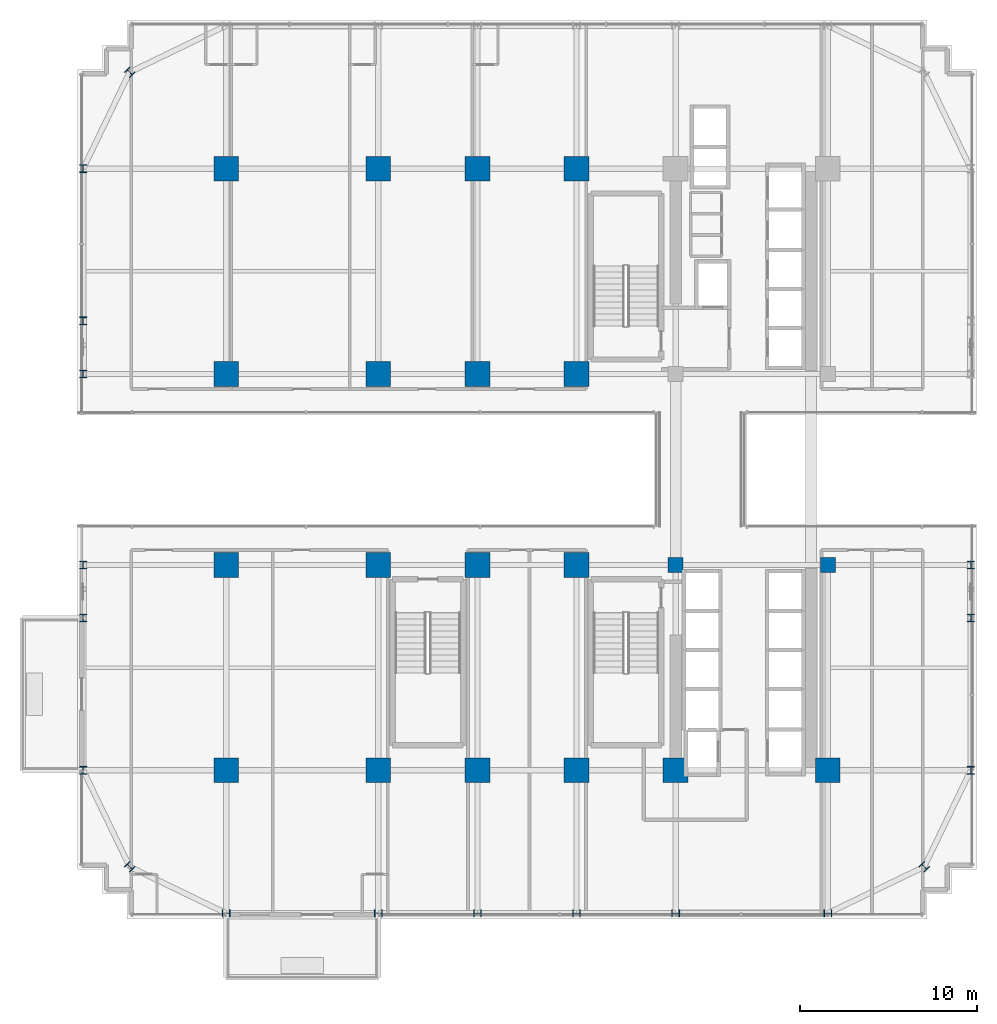
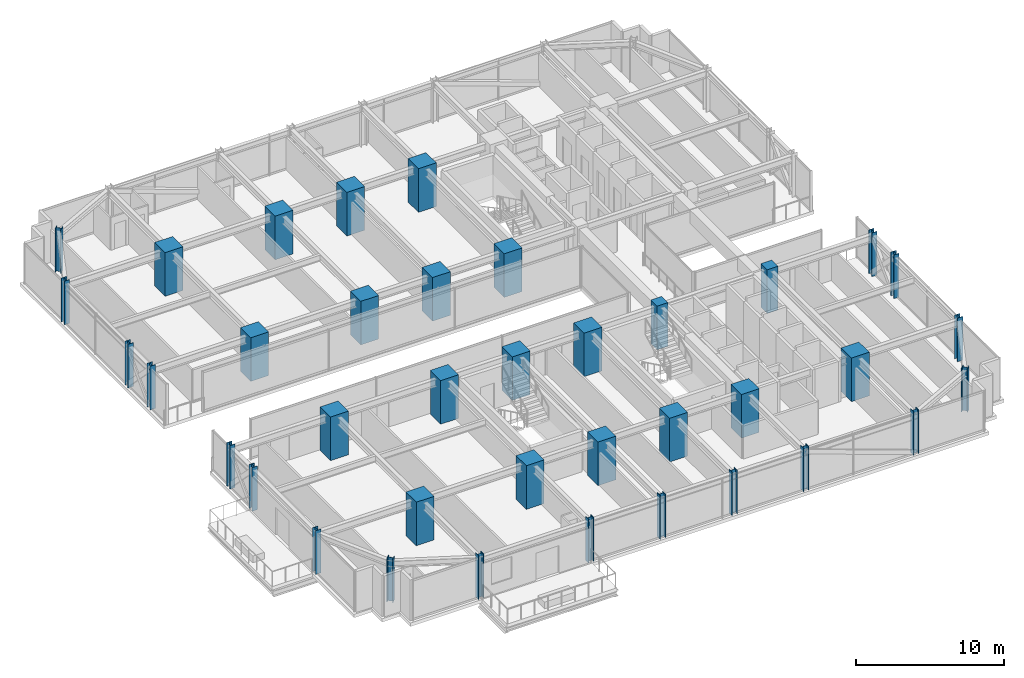
# One storey, part 1 of 37: 38 columns.
"""IFC4 building model written with IfcOpenShell, lengths in metres."""

from ifc_helpers import new_model, si_unit, direction, frame, origin, origin_2d, place, context, subcontext, project, spatial, rectangle, i_section, extrude, source, transform, mapped, material, material_profile, profile_set, type_object, element, save


model = new_model("IFC4")

# Units and contexts
model_context = context("Model", 3, precision=1e-05, world=origin(), true_north=direction((0.0, 1.0)))
body_context = subcontext(model_context, "Body", "Model", "MODEL_VIEW")
ifc_project = project(units=[si_unit("LENGTHUNIT", "METRE"), si_unit("AREAUNIT", "SQUARE_METRE"), si_unit("VOLUMEUNIT", "CUBIC_METRE"), si_unit("PLANEANGLEUNIT", "RADIAN"), si_unit("MASSUNIT", "GRAM", prefix="KILO")], contexts=[model_context])

# Site, building, storey
site_placement = place(None, origin())
site = spatial("IfcSite", under=ifc_project, at=site_placement, CompositionType="ELEMENT")
building_placement = place(site_placement, origin())
building = spatial("IfcBuilding", under=site, at=building_placement, Name="Nahalor Promenade Grand Hotel", CompositionType="ELEMENT")
storey_placement = place(building_placement, frame((0.0, 0.0, 65.25)))
storey = spatial("IfcBuildingStorey", under=building, at=storey_placement, Name="L15", CompositionType="ELEMENT", Elevation=65.25)

# Columns
ifc_material_1 = material(Name="Concrete B-70 (C60/75)", Category="concrete")
ifc_material_profile_1 = material_profile(ifc_material_1, rectangle(XDim=1.4, YDim=1.4, at=origin_2d()), Name="RC 1400x1400")
ifc_profile_set_1 = profile_set([ifc_material_profile_1], Name="Concrete B-70 (C60/75)")
column_type_1 = type_object("IfcColumnType", Name="Col-RC-1400", PredefinedType="COLUMN", material=ifc_profile_set_1)
shared_shape_1 = source(origin(), body_context, "Body", "SweptSolid", [
    extrude(rectangle(XDim=1.4, YDim=1.4, at=origin_2d()), origin(), (0.0, 0.0, 1.0), 3.60498046875),
])
for number, where, z_axis, x_axis, name in (
    (1, (-17.0, -17.0, 0.0), (0.0, 0.0, 1.0), (1.0, 0.0, 0.0), "COL-L15-I00"),
    (2, (-17.0, -5.39990234375, 0.0), (0.0, 0.0, 1.0), (1.0, 0.0, 0.0), "COL-L15-I01"),
    (3, (-17.0, 5.39990234375, 0.0), (0.0, 0.0, 1.0), (1.0, 0.0, 0.0), "COL-L15-I02"),
    (4, (-17.0, 17.0, 0.0), (0.0, 0.0, 1.0), (1.0, 0.0, 0.0), "COL-L15-I03"),
    (5, (-8.39990234375, -17.0, 0.0), (0.0, 0.0, 1.0), (1.0, 0.0, 0.0), "COL-L15-I10"),
    (6, (-8.39990234375, -5.39990234375, 0.0), (0.0, 0.0, 1.0), (1.0, 0.0, 0.0), "COL-L15-I11"),
    (7, (-8.39990234375, 5.39990234375, 0.0), (0.0, 0.0, 1.0), (1.0, 0.0, 0.0), "COL-L15-I12"),
    (8, (-8.39990234375, 17.0, 0.0), (0.0, 0.0, 1.0), (1.0, 0.0, 0.0), "COL-L15-I13"),
    (9, (-2.800048828125, -17.0, 0.0), (0.0, 0.0, 1.0), (1.0, 0.0, 0.0), "COL-L15-I20"),
    (10, (-2.800048828125, -5.39990234375, 0.0), (0.0, 0.0, 1.0), (1.0, 0.0, 0.0), "COL-L15-I21"),
    (11, (-2.800048828125, 5.39990234375, 0.0), (0.0, 0.0, 1.0), (1.0, 0.0, 0.0), "COL-L15-I22"),
    (12, (-2.800048828125, 17.0, 0.0), (0.0, 0.0, 1.0), (1.0, 0.0, 0.0), "COL-L15-I23"),
    (13, (2.800048828125, -17.0, 0.0), (0.0, 0.0, 1.0), (1.0, 0.0, 0.0), "COL-L15-I30"),
    (14, (2.800048828125, -5.39990234375, 0.0), (0.0, 0.0, 1.0), (1.0, 0.0, 0.0), "COL-L15-I31"),
    (15, (2.800048828125, 5.39990234375, 0.0), (0.0, 0.0, 1.0), (1.0, 0.0, 0.0), "COL-L15-I32"),
    (16, (2.800048828125, 17.0, 0.0), (0.0, 0.0, 1.0), (1.0, 0.0, 0.0), "COL-L15-I33"),
    (17, (8.39990234375, -17.0, 0.0), (0.0, 0.0, 1.0), (1.0, 0.0, 0.0), "COL-L15-I40"),
    (18, (17.0, -17.0, 0.0), (0.0, 0.0, 1.0), (1.0, 0.0, 0.0), "COL-L15-I50"),
):
    element("IfcColumn", number, at=place(storey_placement, frame(where, z_axis=z_axis, x_axis=x_axis)), inside=storey, type_object=column_type_1, Name=name, PredefinedType="COLUMN", context=body_context, shape_type="MappedRepresentation", body=[
        mapped(shared_shape_1, transform((0.0, 0.0, 0.0), scale=1.0)),
    ])
ifc_material_profile_2 = material_profile(ifc_material_1, rectangle(XDim=0.85, YDim=0.85, at=origin_2d()), Name="RC 850x850")
ifc_profile_set_2 = profile_set([ifc_material_profile_2], Name="Concrete B-70 (C60/75)")
column_type_2 = type_object("IfcColumnType", Name="Col-Pilaster-850", PredefinedType="PILASTER", material=ifc_profile_set_2)
shared_shape_2 = source(origin(), body_context, "Body", "SweptSolid", [
    extrude(rectangle(XDim=0.85, YDim=0.85, at=origin_2d()), origin(), (0.0, 0.0, 1.0), 3.60498046875),
])
for number, where, z_axis, x_axis, name in (
    (19, (8.39990234375, -5.39990234375, 0.0), (0.0, 0.0, 1.0), (1.0, 0.0, 0.0), "COL-L15-I41"),
    (20, (17.0, -5.39990234375, 0.0), (0.0, 0.0, 1.0), (1.0, 0.0, 0.0), "COL-L15-I51"),
):
    element("IfcColumn", number, at=place(storey_placement, frame(where, z_axis=z_axis, x_axis=x_axis)), inside=storey, type_object=column_type_2, Name=name, PredefinedType="PILASTER", context=body_context, shape_type="MappedRepresentation", body=[
        mapped(shared_shape_2, transform((0.0, 0.0, 0.0), scale=1.0)),
    ])
ifc_material_2 = material(Name="Steel S355J2", Category="steel")
ifc_material_profile_3 = material_profile(ifc_material_2, i_section(OverallWidth=0.412, OverallDepth=0.438, WebThickness=0.0226, FlangeThickness=0.0365, at=origin_2d()), Name="HD 400x463")
ifc_profile_set_3 = profile_set([ifc_material_profile_3], Name="Steel S355J2")
column_type_3 = type_object("IfcColumnType", Name="Col-Steel-HD463", PredefinedType="COLUMN", material=ifc_profile_set_3)
shared_shape_3 = source(origin(), body_context, "Body", "SweptSolid", [
    extrude(i_section(OverallWidth=0.412, OverallDepth=0.438, WebThickness=0.0226, FlangeThickness=0.0365, at=origin_2d()), origin(), (0.0, 0.0, 1.0), 3.60498046875),
])
for number, where, z_axis, x_axis, name in (
    (21, (-25.080078125, -17.0, 0.0), (0.0, 0.0, 1.0), (1.0, 0.0, 0.0), "COL-L15-PW-W0"),
    (22, (25.080078125, -17.0, 0.0), (0.0, 0.0, 1.0), (1.0, 0.0, 0.0), "COL-L15-PW-E0"),
    (23, (-25.080078125, -8.39990234375, 0.0), (0.0, 0.0, 1.0), (1.0, 0.0, 0.0), "COL-L15-PW-W1"),
    (24, (25.080078125, -8.39990234375, 0.0), (0.0, 0.0, 1.0), (1.0, 0.0, 0.0), "COL-L15-PW-E1"),
    (25, (-25.080078125, -5.39990234375, 0.0), (0.0, 0.0, 1.0), (1.0, 0.0, 0.0), "COL-L15-PW-W2"),
    (26, (25.080078125, -5.39990234375, 0.0), (0.0, 0.0, 1.0), (1.0, 0.0, 0.0), "COL-L15-PW-E2"),
    (27, (-25.080078125, 5.39990234375, 0.0), (0.0, 0.0, 1.0), (1.0, 0.0, 0.0), "COL-L15-PW-W3"),
    (28, (-25.080078125, 8.39990234375, 0.0), (0.0, 0.0, 1.0), (1.0, 0.0, 0.0), "COL-L15-PW-W4"),
    (29, (-25.080078125, 17.0, 0.0), (0.0, 0.0, 1.0), (1.0, 0.0, 0.0), "COL-L15-PW-W5"),
    (30, (-17.0, -25.080078125, 0.0), (0.0, 0.0, 1.0), (0.0, 1.0, 0.0), "COL-L15-PN-S0"),
    (31, (-8.39990234375, -25.080078125, 0.0), (0.0, 0.0, 1.0), (0.0, 1.0, 0.0), "COL-L15-PN-S1"),
    (32, (-2.800048828125, -25.080078125, 0.0), (0.0, 0.0, 1.0), (0.0, 1.0, 0.0), "COL-L15-PN-S2"),
    (33, (2.800048828125, -25.080078125, 0.0), (0.0, 0.0, 1.0), (0.0, 1.0, 0.0), "COL-L15-PN-S3"),
    (34, (8.39990234375, -25.080078125, 0.0), (0.0, 0.0, 1.0), (0.0, 1.0, 0.0), "COL-L15-PN-S4"),
    (35, (17.0, -25.080078125, 0.0), (0.0, 0.0, 1.0), (0.0, 1.0, 0.0), "COL-L15-PN-S5"),
    (36, (-22.449951171875, -22.449951171875, 0.0), (0.0, 0.0, 1.0), (0.707106781187, 0.707106781187, 0.0), "COL-L15-CRN-SW"),
    (37, (-22.449951171875, 22.449951171875, 0.0), (0.0, 0.0, 1.0), (0.707106781187, 0.707106781187, 0.0), "COL-L15-CRN-NW"),
    (38, (22.449951171875, -22.449951171875, 0.0), (0.0, 0.0, 1.0), (0.707106781187, 0.707106781187, 0.0), "COL-L15-CRN-SE"),
):
    element("IfcColumn", number, at=place(storey_placement, frame(where, z_axis=z_axis, x_axis=x_axis)), inside=storey, type_object=column_type_3, Name=name, PredefinedType="COLUMN", context=body_context, shape_type="MappedRepresentation", body=[
        mapped(shared_shape_3, transform((0.0, 0.0, 0.0), scale=1.0)),
    ])

save(model, "model.ifc")
